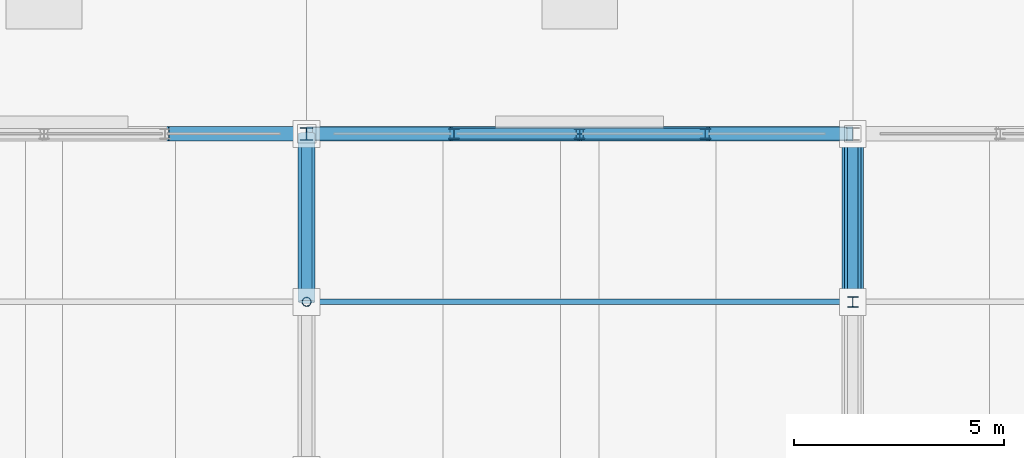
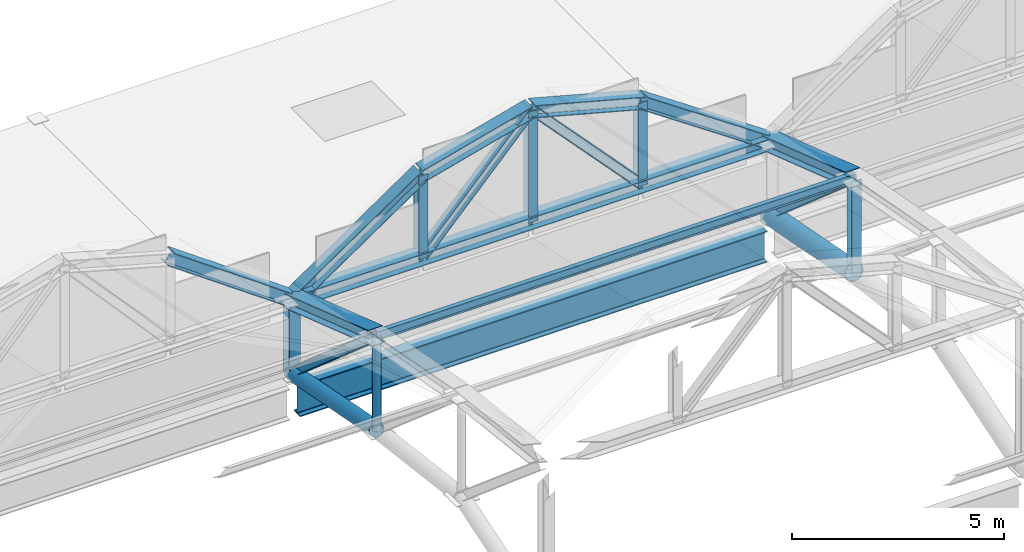
# One storey, part 83 of 117: 21 members, 1 beam.
"""IFC4 building model written with IfcOpenShell, lengths in metres."""

import ifcopenshell
import ifcopenshell.guid

model = None  # the IFC model being written
_history = None  # IfcOwnerHistory: only IFC2X3 demands one
_inside = {}  # id of a spatial element -> (the spatial element, [elements in it])
_under = {}  # id of a project, library or spatial element -> (it, [spatial elements below it])
_declared = {}  # id of a project -> (the project, [libraries it declares])
_typed = {}  # id of a type object -> (the type object, [elements of that type])
_made_of = {}  # id of a material, layer set ... -> (it, [elements and type objects made of it])


def new_model(schema):
    """Start an empty IFC model of exactly this schema.

    Asked for "IFC4X3", IfcOpenShell would pick the latest addendum, in which some entities
    have other attributes; the version numbers below select the first issue.
    IFC2X3 requires an IfcOwnerHistory on every rooted entity: one is made here for all.
    """
    global model, _history
    if schema == "IFC4X3":
        model = ifcopenshell.file(schema_version=(4, 3, 0, 0))
    else:
        model = ifcopenshell.file(schema=schema)
    _inside.clear()
    _under.clear()
    _declared.clear()
    _typed.clear()
    _made_of.clear()
    _history = None
    if model.schema == "IFC2X3":
        org = make("IfcOrganization", Name="unknown")
        user = make(
            "IfcPersonAndOrganization",
            ThePerson=make("IfcPerson", FamilyName="unknown"),
            TheOrganization=org,
        )
        app = make(
            "IfcApplication",
            ApplicationDeveloper=org,
            Version="unknown",
            ApplicationFullName="unknown",
            ApplicationIdentifier="unknown",
        )
        _history = make(
            "IfcOwnerHistory",
            OwningUser=user,
            OwningApplication=app,
            ChangeAction="ADDED",
            CreationDate=0,
        )
    return model


def make(cls, **values):
    """One entity of the class cls with the attributes given. An attribute that is None is left unset."""
    return model.create_entity(
        cls, **{name: value for name, value in values.items() if value is not None}
    )


def rooted(cls, **values):
    """An entity with a GlobalId (a new one), such as an element, a storey or a relation."""
    return make(cls, GlobalId=ifcopenshell.guid.new(), OwnerHistory=_history, **values)


def si_unit(unit_type, name, prefix=None):
    """IfcSIUnit, for example si_unit("LENGTHUNIT", "METRE", prefix="MILLI")."""
    return make("IfcSIUnit", UnitType=unit_type, Prefix=prefix, Name=name)


def assignment(units):
    """IfcUnitAssignment: the units of a project."""
    return None if units is None else make("IfcUnitAssignment", Units=units)


def point(xyz):
    """IfcCartesianPoint."""
    return None if xyz is None else make("IfcCartesianPoint", Coordinates=xyz)


def direction(xyz):
    """IfcDirection."""
    return None if xyz is None else make("IfcDirection", DirectionRatios=xyz)


def frame(location, z_axis=None, x_axis=None):
    """IfcAxis2Placement3D, a coordinate frame: its origin and axes. An axis left out is left unset."""
    return make(
        "IfcAxis2Placement3D",
        Location=point(location),
        Axis=direction(z_axis),
        RefDirection=direction(x_axis),
    )


def frame_2d(location, x_axis=None):
    """IfcAxis2Placement2D, a coordinate frame in the plane: its origin and x axis."""
    return make(
        "IfcAxis2Placement2D", Location=point(location), RefDirection=direction(x_axis)
    )


def origin():
    """The frame at (0, 0, 0) with its axes left unset."""
    return frame((0.0, 0.0, 0.0))


def origin_2d():
    """The frame at (0, 0) in the plane with its x axis left unset."""
    return frame_2d((0.0, 0.0))


def place(relative_to, where):
    """IfcLocalPlacement: puts the frame where relative to a parent placement (None: the world)."""
    return make(
        "IfcLocalPlacement", PlacementRelTo=relative_to, RelativePlacement=where
    )


def context(
    kind, dimensions, precision=None, world=None, true_north=None, identifier=None
):
    """IfcGeometricRepresentationContext, for example the 3D "Model" context."""
    return make(
        "IfcGeometricRepresentationContext",
        ContextIdentifier=identifier,
        ContextType=kind,
        CoordinateSpaceDimension=dimensions,
        Precision=precision,
        WorldCoordinateSystem=world,
        TrueNorth=true_north,
    )


def subcontext(parent, identifier, kind, view, scale=None):
    """IfcGeometricRepresentationSubContext, for example "Body" below "Model"."""
    return make(
        "IfcGeometricRepresentationSubContext",
        ContextIdentifier=identifier,
        ContextType=kind,
        ParentContext=parent,
        TargetScale=scale,
        TargetView=view,
    )


def project(units=None, contexts=None):
    """IfcProject with its units and contexts."""
    return rooted(
        "IfcProject",
        Name="project",
        RepresentationContexts=contexts,
        UnitsInContext=assignment(units),
    )


def spatial(cls, under=None, at=None, **own):
    """A site, building, storey or space (cls), placed at a placement, below another one or the project."""
    s = rooted(cls, ObjectPlacement=at, **own)
    if under is not None:
        _under.setdefault(under.id(), (under, []))[1].append(s)
    return s


def profile(cls, at=None, kind="AREA", **sizes):
    """A parametric profile (cls). Its sizes go by their IFC names, for example OverallWidth=200.0."""
    return make(cls, ProfileType=kind, Position=at, **sizes)


def hollow_circle(**sizes):
    """IfcCircleHollowProfileDef."""
    return profile("IfcCircleHollowProfileDef", **sizes)


def i_section(**sizes):
    """IfcIShapeProfileDef."""
    return profile("IfcIShapeProfileDef", **sizes)


def extrude(swept, where, along, depth):
    """IfcExtrudedAreaSolid: the profile swept, set in the frame where, extruded along a direction by depth."""
    return make(
        "IfcExtrudedAreaSolid",
        SweptArea=swept,
        Position=where,
        ExtrudedDirection=direction(along),
        Depth=depth,
    )


def shape(context_of_items, identifier, shape_type, items):
    """IfcShapeRepresentation: the items that make up one representation, for example the "Body"."""
    return make(
        "IfcShapeRepresentation",
        ContextOfItems=context_of_items,
        RepresentationIdentifier=identifier,
        RepresentationType=shape_type,
        Items=items,
    )


def material(Name=None, Category=None):
    """IfcMaterial."""
    return make("IfcMaterial", Name=Name, Category=Category)


def material_profile(
    of_material, cross_section, Name=None, Category=None, Priority=None
):
    """IfcMaterialProfile: a cross section and its material."""
    return make(
        "IfcMaterialProfile",
        Name=Name,
        Material=of_material,
        Profile=cross_section,
        Priority=Priority,
        Category=Category,
    )


def profile_set(profiles, Name=None, composite=None):
    """IfcMaterialProfileSet."""
    return make(
        "IfcMaterialProfileSet",
        Name=Name,
        MaterialProfiles=profiles,
        CompositeProfile=composite,
    )


def made_of(thing, what):
    """Note that an element or type object is made of a material, layer set ...; save() writes the relation."""
    if what is not None:
        _made_of.setdefault(what.id(), (what, []))[1].append(thing)
    return thing


def type_object(cls, material=None, **own):
    """A type object (cls), such as IfcWallType, which elements share."""
    return made_of(rooted(cls, **own), material)


def element(
    cls,
    number,
    at=None,
    inside=None,
    cuts=None,
    type_object=None,
    material=None,
    context=None,
    identifier="Body",
    shape_type=None,
    held_by="IfcProductDefinitionShape",
    body=None,
    shapes=None,
    **own,
):
    """One element of the class cls, such as IfcWall. Its Tag is "e" and its number.

    at: its placement. inside: the storey or other place that contains it. cuts: it is an
    opening in that element (IfcRelVoidsElement). A single representation is given by context,
    identifier, shape_type and body (its items); several are given by shapes. held_by: the class
    of the entity that holds the representations. save() writes the other relations.
    """
    e = rooted(cls, Tag="e%d" % number, ObjectPlacement=at, **own)
    if body is not None:
        shapes = [shape(context, identifier, shape_type, body)]
    if shapes is not None:
        e.Representation = make(held_by, Representations=shapes)
    if inside is not None:
        _inside.setdefault(inside.id(), (inside, []))[1].append(e)
    if cuts is not None:
        rooted(
            "IfcRelVoidsElement", RelatingBuildingElement=cuts, RelatedOpeningElement=e
        )
    if type_object is not None:
        _typed.setdefault(type_object.id(), (type_object, []))[1].append(e)
    return made_of(e, material)


def aggregate(whole, parts):
    """IfcRelAggregates: a whole, such as a stair, and the parts it consists of."""
    return rooted("IfcRelAggregates", RelatingObject=whole, RelatedObjects=parts)


def save(model, path):
    """Write the relations noted so far, then the file.

    IfcRelAggregates (storeys below a building ...), IfcRelContainedInSpatialStructure (elements
    in a storey), IfcRelDefinesByType, IfcRelAssociatesMaterial and IfcRelDeclares: one each for
    every whole, place, type object, material and project.
    """
    for whole, parts in _under.values():
        aggregate(whole, parts)
    for where, things in _inside.values():
        rooted(
            "IfcRelContainedInSpatialStructure",
            RelatedElements=things,
            RelatingStructure=where,
        )
    for kind, things in _typed.values():
        rooted("IfcRelDefinesByType", RelatedObjects=things, RelatingType=kind)
    for what, things in _made_of.values():
        rooted("IfcRelAssociatesMaterial", RelatedObjects=things, RelatingMaterial=what)
    for by, libraries in _declared.values():
        rooted("IfcRelDeclares", RelatingContext=by, RelatedDefinitions=libraries)
    model.write(path)


model = new_model("IFC4")

# Units and contexts
model_context = context("Model", 3, precision=1e-05, world=origin(), true_north=direction((0.0, 1.0)))
body_context = subcontext(model_context, "Body", "Model", "MODEL_VIEW")
ifc_project = project(units=[si_unit("LENGTHUNIT", "METRE"), si_unit("AREAUNIT", "SQUARE_METRE"), si_unit("VOLUMEUNIT", "CUBIC_METRE"), si_unit("PLANEANGLEUNIT", "RADIAN"), si_unit("MASSUNIT", "GRAM", prefix="KILO")], contexts=[model_context])

# Site, building, storey
site_placement = place(None, origin())
site = spatial("IfcSite", under=ifc_project, at=site_placement, CompositionType="ELEMENT")
building_placement = place(site_placement, origin())
building = spatial("IfcBuilding", under=site, at=building_placement, Name="Kazenohara Klinker Stadium", CompositionType="ELEMENT")
storey_placement = place(building_placement, frame((0.0, 0.0, 31.199951171875)))
storey = spatial("IfcBuildingStorey", under=building, at=storey_placement, Name="RF", CompositionType="ELEMENT", Elevation=31.199951171875)

# Members
ifc_material = material(Name="Steel S355", Category="steel")
ifc_material_profile_1 = material_profile(ifc_material, i_section(OverallWidth=0.25, OverallDepth=0.25, WebThickness=0.009033203125, FlangeThickness=0.013916015625, FilletRadius=0.012939453125, at=origin_2d()), Name="H-250x250x9x14")
ifc_profile_set_1 = profile_set([ifc_material_profile_1], Name="Steel S355")
member_type_1 = type_object("IfcMemberType", Name="MEM-BRC02", PredefinedType="BRACE", material=ifc_profile_set_1)
for number, where, z_axis, x_axis, name in (
    (1, (99.0, 144.0, -0.02001953125), (0.0, -0.755380190588, 0.655286782765), (1.0, 0.0, 0.0), "ROOF TRUSS RT-N04 web diagonal 1"),
    (2, (112.0, 144.0, -0.02001953125), (0.0, -0.755380190588, 0.655286782765), (1.0, 0.0, 0.0), "ROOF TRUSS RT-N05 web diagonal 1"),
):
    element("IfcMember", number, at=place(storey_placement, frame(where, z_axis=z_axis, x_axis=x_axis)), inside=storey, type_object=member_type_1, Name=name, PredefinedType="BRACE", context=body_context, shape_type="SweptSolid", body=[
        extrude(i_section(OverallWidth=0.25, OverallDepth=0.25, WebThickness=0.009033203125, FlangeThickness=0.013916015625, FilletRadius=0.012939453125, at=origin_2d()), origin(), (0.0, 0.0, 1.0), 5.29541015625),
    ])
ifc_material_profile_2 = material_profile(ifc_material, i_section(OverallWidth=0.39990234375, OverallDepth=0.39990234375, WebThickness=0.012939453125, FlangeThickness=0.02099609375, FilletRadius=0.02197265625, at=origin_2d()), Name="H-400x400x13x21")
ifc_profile_set_2 = profile_set([ifc_material_profile_2], Name="Steel S355")
member_type_2 = type_object("IfcMemberType", Name="MEM-CHD01", PredefinedType="CHORD", material=ifc_profile_set_2)
for number, where, z_axis, x_axis, name in (
    (3, (99.0, 144.0, 2.10009765625), (0.0, -0.947502791724, 0.319747493618), (1.0, 0.0, 0.0), "ROOF TRUSS RT-N04 top arched chord 1"),
    (4, (112.0, 144.0, 2.10009765625), (0.0, -0.947502791724, 0.319747493618), (1.0, 0.0, 0.0), "ROOF TRUSS RT-N05 top arched chord 1"),
):
    element("IfcMember", number, at=place(storey_placement, frame(where, z_axis=z_axis, x_axis=x_axis)), inside=storey, type_object=member_type_2, Name=name, PredefinedType="CHORD", context=body_context, shape_type="SweptSolid", body=[
        extrude(i_section(OverallWidth=0.39990234375, OverallDepth=0.39990234375, WebThickness=0.012939453125, FlangeThickness=0.02099609375, FilletRadius=0.02197265625, at=origin_2d()), origin(), (0.0, 0.0, 1.0), 4.2216796875),
    ])
ifc_material_profile_3 = material_profile(ifc_material, i_section(OverallWidth=0.35009765625, OverallDepth=0.35009765625, WebThickness=0.011962890625, FlangeThickness=0.01904296875, FilletRadius=0.012939453125, at=origin_2d()), Name="H-350x350x12x19")
ifc_profile_set_3 = profile_set([ifc_material_profile_3], Name="Steel S355")
member_type_3 = type_object("IfcMemberType", Name="MEM-CHD02", PredefinedType="CHORD", material=ifc_profile_set_3)
member_1_placement = place(storey_placement, frame((95.625, 144.0, 4.5), z_axis=(0.814966461491, 0.0, -0.579508124744), x_axis=(0.0, 1.0, 0.0)))
element("IfcMember", 5, at=member_1_placement, inside=storey, type_object=member_type_3, Name="Barrel arch top rib TC02 N-03-N0-S4", PredefinedType="CHORD", context=body_context, shape_type="SweptSolid", body=[
    extrude(i_section(OverallWidth=0.35009765625, OverallDepth=0.35009765625, WebThickness=0.011962890625, FlangeThickness=0.01904296875, FilletRadius=0.012939453125, at=origin_2d()), origin(), (0.0, 0.0, 1.0), 4.141357421875),
])
member_2_placement = place(storey_placement, frame((99.0, 144.0, 2.10009765625), z_axis=(1.0, 0.0, 0.0), x_axis=(0.0, 1.0, 0.0)))
element("IfcMember", 6, at=member_2_placement, inside=storey, type_object=member_type_3, Name="Barrel arch tie chord TC02 N-04-N0", PredefinedType="CHORD", context=body_context, shape_type="SweptSolid", body=[
    extrude(i_section(OverallWidth=0.35009765625, OverallDepth=0.35009765625, WebThickness=0.011962890625, FlangeThickness=0.01904296875, FilletRadius=0.012939453125, at=origin_2d()), origin(), (0.0, 0.0, 1.0), 13.0),
])
member_3_placement = place(storey_placement, frame((99.0, 144.0, 2.10009765625), z_axis=(0.825491711615, 0.0, 0.56441423977), x_axis=(0.0, 1.0, 0.0)))
element("IfcMember", 7, at=member_3_placement, inside=storey, type_object=member_type_3, Name="Barrel arch top rib TC02 N-04-N0-S1", PredefinedType="CHORD", context=body_context, shape_type="SweptSolid", body=[
    extrude(i_section(OverallWidth=0.35009765625, OverallDepth=0.35009765625, WebThickness=0.011962890625, FlangeThickness=0.01904296875, FilletRadius=0.012939453125, at=origin_2d()), origin(), (0.0, 0.0, 1.0), 4.251953125),
])
for number, where, z_axis, x_axis, name in (
    (8, (102.510009765625, 144.0, 4.5), (0.966015959624, 0.0, 0.258482428324), (0.0, 1.0, 0.0), "Barrel arch top rib TC02 N-04-N0-S2"),
    (9, (105.5, 144.0, 5.300048828125), (0.966015959624, 0.0, -0.258482428324), (0.0, 1.0, 0.0), "Barrel arch top rib TC02 N-04-N0-S3"),
):
    element("IfcMember", number, at=place(storey_placement, frame(where, z_axis=z_axis, x_axis=x_axis)), inside=storey, type_object=member_type_3, Name=name, PredefinedType="CHORD", context=body_context, shape_type="SweptSolid", body=[
        extrude(i_section(OverallWidth=0.35009765625, OverallDepth=0.35009765625, WebThickness=0.011962890625, FlangeThickness=0.01904296875, FilletRadius=0.012939453125, at=origin_2d()), origin(), (0.0, 0.0, 1.0), 3.09521484375),
    ])
member_4_placement = place(storey_placement, frame((108.489990234375, 144.0, 4.5), z_axis=(0.825491711615, 0.0, -0.56441423977), x_axis=(0.0, 1.0, 0.0)))
element("IfcMember", 10, at=member_4_placement, inside=storey, type_object=member_type_3, Name="Barrel arch top rib TC02 N-04-N0-S4", PredefinedType="CHORD", context=body_context, shape_type="SweptSolid", body=[
    extrude(i_section(OverallWidth=0.35009765625, OverallDepth=0.35009765625, WebThickness=0.011962890625, FlangeThickness=0.01904296875, FilletRadius=0.012939453125, at=origin_2d()), origin(), (0.0, 0.0, 1.0), 4.251953125),
])
ifc_material_profile_4 = material_profile(ifc_material, hollow_circle(Radius=0.203125, WallThickness=0.011962890625, at=origin_2d()), Name="CHS-406.4x12")
ifc_profile_set_4 = profile_set([ifc_material_profile_4], Name="Steel S355")
member_type_4 = type_object("IfcMemberType", Name="MEM-CHD03", PredefinedType="CHORD", material=ifc_profile_set_4)
member_5_placement = place(storey_placement, frame((99.0, 144.0, -0.02001953125), z_axis=(0.0, -0.981970519692, 0.189034119819), x_axis=(1.0, 0.0, 0.0)))
element("IfcMember", 11, at=member_5_placement, inside=storey, type_object=member_type_4, Name="ROOF TRUSS RT-N04 bottom arched chord 1", PredefinedType="CHORD", context=body_context, shape_type="SweptSolid", body=[
    extrude(hollow_circle(Radius=0.203125, WallThickness=0.011962890625, at=origin_2d()), origin(), (0.0, 0.0, 1.0), 4.073486328125),
])
ifc_material_profile_5 = material_profile(ifc_material, hollow_circle(Radius=0.25390625, WallThickness=0.01611328125, at=origin_2d()), Name="CHS-508.0x16")
ifc_profile_set_5 = profile_set([ifc_material_profile_5], Name="Steel S355")
member_type_5 = type_object("IfcMemberType", Name="MEM-CHD04", PredefinedType="CHORD", material=ifc_profile_set_5)
member_6_placement = place(storey_placement, frame((112.0, 144.0, -0.02001953125), z_axis=(0.0, -0.981970519692, 0.189034119819), x_axis=(1.0, 0.0, 0.0)))
element("IfcMember", 12, at=member_6_placement, inside=storey, type_object=member_type_5, Name="ROOF TRUSS RT-N05 bottom arched chord 1", PredefinedType="CHORD", context=body_context, shape_type="SweptSolid", body=[
    extrude(hollow_circle(Radius=0.25390625, WallThickness=0.01611328125, at=origin_2d()), origin(), (0.0, 0.0, 1.0), 4.073486328125),
])
ifc_material_profile_6 = material_profile(ifc_material, i_section(OverallWidth=0.125, OverallDepth=0.25, WebThickness=0.006103515625, FlangeThickness=0.009033203125, FilletRadius=0.008056640625, at=origin_2d()), Name="H-250x125x6x9")
ifc_profile_set_6 = profile_set([ifc_material_profile_6], Name="Steel S355")
member_type_6 = type_object("IfcMemberType", Name="MEM-PUR01", PredefinedType="PURLIN", material=ifc_profile_set_6)
member_7_placement = place(storey_placement, frame((99.0, 140.0, 3.469970703125), z_axis=(1.0, 0.0, 0.0), x_axis=(0.0, 1.0, 0.0)))
element("IfcMember", 13, at=member_7_placement, inside=storey, type_object=member_type_6, Name="Canopy valley tie purlin PR01 N-04-N1", PredefinedType="PURLIN", context=body_context, shape_type="SweptSolid", body=[
    extrude(i_section(OverallWidth=0.125, OverallDepth=0.25, WebThickness=0.006103515625, FlangeThickness=0.009033203125, FilletRadius=0.008056640625, at=origin_2d()), origin(), (0.0, 0.0, 1.0), 13.0),
])
ifc_material_profile_7 = material_profile(ifc_material, i_section(OverallWidth=0.300048828125, OverallDepth=0.300048828125, WebThickness=0.010009765625, FlangeThickness=0.014892578125, FilletRadius=0.012939453125, at=origin_2d()), Name="H-300x300x10x15")
ifc_profile_set_7 = profile_set([ifc_material_profile_7], Name="Steel S355")
member_type_7 = type_object("IfcMemberType", Name="MEM-STR01", PredefinedType="STRUT", material=ifc_profile_set_7)
member_8_placement = place(storey_placement, frame((99.0, 144.0, -0.02001953125), z_axis=(0.0, 0.0, 1.0), x_axis=(1.0, 0.0, 0.0)))
element("IfcMember", 14, at=member_8_placement, inside=storey, type_object=member_type_7, Name="ROOF TRUSS RT-N04 web post 1", PredefinedType="STRUT", context=body_context, shape_type="SweptSolid", body=[
    extrude(i_section(OverallWidth=0.300048828125, OverallDepth=0.300048828125, WebThickness=0.010009765625, FlangeThickness=0.014892578125, FilletRadius=0.012939453125, at=origin_2d()), origin(), (0.0, 0.0, 1.0), 2.1201171875),
])
ifc_material_profile_8 = material_profile(ifc_material, i_section(OverallWidth=0.25, OverallDepth=0.25, WebThickness=0.009033203125, FlangeThickness=0.013916015625, FilletRadius=0.012939453125, at=origin_2d()), Name="H-250x250x9x14")
ifc_profile_set_8 = profile_set([ifc_material_profile_8], Name="Steel S355")
member_type_8 = type_object("IfcMemberType", Name="MEM-STR02", PredefinedType="STRUT", material=ifc_profile_set_8)
member_9_placement = place(storey_placement, frame((112.0, 140.0, 0.75), z_axis=(0.0, 0.0, 1.0), x_axis=(1.0, 0.0, 0.0)))
element("IfcMember", 15, at=member_9_placement, inside=storey, type_object=member_type_8, Name="ROOF TRUSS RT-N05 web post 2", PredefinedType="STRUT", context=body_context, shape_type="SweptSolid", body=[
    extrude(i_section(OverallWidth=0.25, OverallDepth=0.25, WebThickness=0.009033203125, FlangeThickness=0.013916015625, FilletRadius=0.012939453125, at=origin_2d()), origin(), (0.0, 0.0, 1.0), 2.699951171875),
])
member_10_placement = place(storey_placement, frame((102.510009765625, 144.0, 2.10009765625), z_axis=(0.0, 0.0, 1.0), x_axis=(1.0, 0.0, 0.0)))
element("IfcMember", 16, at=member_10_placement, inside=storey, type_object=member_type_8, Name="Barrel arch web post TS02 N-04-N0-P1", PredefinedType="STRUT", context=body_context, shape_type="SweptSolid", body=[
    extrude(i_section(OverallWidth=0.25, OverallDepth=0.25, WebThickness=0.009033203125, FlangeThickness=0.013916015625, FilletRadius=0.012939453125, at=origin_2d()), origin(), (0.0, 0.0, 1.0), 2.39990234375),
])
member_11_placement = place(storey_placement, frame((105.5, 144.0, 2.10009765625), z_axis=(0.0, 0.0, 1.0), x_axis=(1.0, 0.0, 0.0)))
element("IfcMember", 17, at=member_11_placement, inside=storey, type_object=member_type_8, Name="Barrel arch web post TS02 N-04-N0-P2", PredefinedType="STRUT", context=body_context, shape_type="SweptSolid", body=[
    extrude(i_section(OverallWidth=0.25, OverallDepth=0.25, WebThickness=0.009033203125, FlangeThickness=0.013916015625, FilletRadius=0.012939453125, at=origin_2d()), origin(), (0.0, 0.0, 1.0), 3.199951171875),
])
member_12_placement = place(storey_placement, frame((108.489990234375, 144.0, 2.10009765625), z_axis=(0.0, 0.0, 1.0), x_axis=(1.0, 0.0, 0.0)))
element("IfcMember", 18, at=member_12_placement, inside=storey, type_object=member_type_8, Name="Barrel arch web post TS02 N-04-N0-P3", PredefinedType="STRUT", context=body_context, shape_type="SweptSolid", body=[
    extrude(i_section(OverallWidth=0.25, OverallDepth=0.25, WebThickness=0.009033203125, FlangeThickness=0.013916015625, FilletRadius=0.012939453125, at=origin_2d()), origin(), (0.0, 0.0, 1.0), 2.39990234375),
])
for number, where, z_axis, x_axis, name in (
    (19, (102.510009765625, 144.0, 2.10009765625), (0.682729290589, 0.0, 0.730671414366), (0.0, 1.0, 0.0), "Barrel arch web diagonal TS02 N-04-N0-D1"),
    (20, (108.489990234375, 144.0, 2.10009765625), (-0.682729290589, 0.0, 0.730671414366), (0.0, -1.0, 0.0), "Barrel arch web diagonal TS02 N-04-N0-D2"),
):
    element("IfcMember", number, at=place(storey_placement, frame(where, z_axis=z_axis, x_axis=x_axis)), inside=storey, type_object=member_type_8, Name=name, PredefinedType="STRUT", context=body_context, shape_type="SweptSolid", body=[
        extrude(i_section(OverallWidth=0.25, OverallDepth=0.25, WebThickness=0.009033203125, FlangeThickness=0.013916015625, FilletRadius=0.012939453125, at=origin_2d()), origin(), (0.0, 0.0, 1.0), 4.37939453125),
    ])
ifc_material_profile_9 = material_profile(ifc_material, hollow_circle(Radius=0.108154296875, WallThickness=0.008056640625, at=origin_2d()), Name="CHS-216.3x8")
ifc_profile_set_9 = profile_set([ifc_material_profile_9], Name="Steel S355")
member_type_9 = type_object("IfcMemberType", Name="MEM-STR04", PredefinedType="STRUT", material=ifc_profile_set_9)
member_13_placement = place(storey_placement, frame((99.0, 140.0, 0.75), z_axis=(0.0, 0.0, 1.0), x_axis=(1.0, 0.0, 0.0)))
element("IfcMember", 21, at=member_13_placement, inside=storey, type_object=member_type_9, Name="ROOF TRUSS RT-N04 web post 2", PredefinedType="STRUT", context=body_context, shape_type="SweptSolid", body=[
    extrude(hollow_circle(Radius=0.108154296875, WallThickness=0.008056640625, at=origin_2d()), origin(), (0.0, 0.0, 1.0), 2.699951171875),
])

# Beam
ifc_material_profile_10 = material_profile(ifc_material, i_section(OverallWidth=0.300048828125, OverallDepth=0.89990234375, WebThickness=0.01611328125, FlangeThickness=0.028076171875, FilletRadius=0.02197265625, at=origin_2d()), Name="H-900x300x16x28")
ifc_profile_set_10 = profile_set([ifc_material_profile_10], Name="Steel S355")
beam_type = type_object("IfcBeamType", Name="RING-RB01", PredefinedType="USERDEFINED", material=ifc_profile_set_10)
beam_placement = place(storey_placement, frame((99.139892578125, 144.0, -0.820068359375), z_axis=(1.0, 0.0, 0.0), x_axis=(0.0, 1.0, 0.0)))
element("IfcBeam", 22, at=beam_placement, inside=storey, type_object=beam_type, Name="Roof ring beam RB01 N-OUT 9-10", ObjectType="RING BEAM", PredefinedType="USERDEFINED", context=body_context, shape_type="SweptSolid", body=[
    extrude(i_section(OverallWidth=0.300048828125, OverallDepth=0.89990234375, WebThickness=0.01611328125, FlangeThickness=0.028076171875, FilletRadius=0.02197265625, at=origin_2d()), origin(), (0.0, 0.0, 1.0), 12.72021484375),
])

save(model, "model.ifc")
